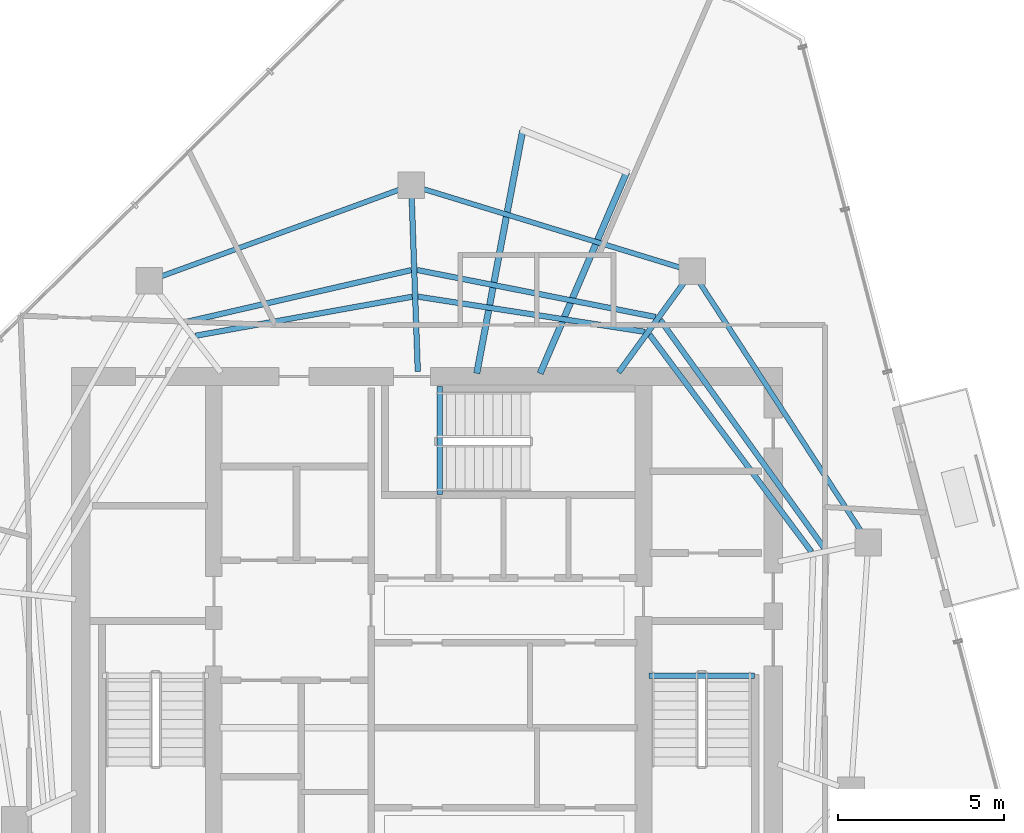
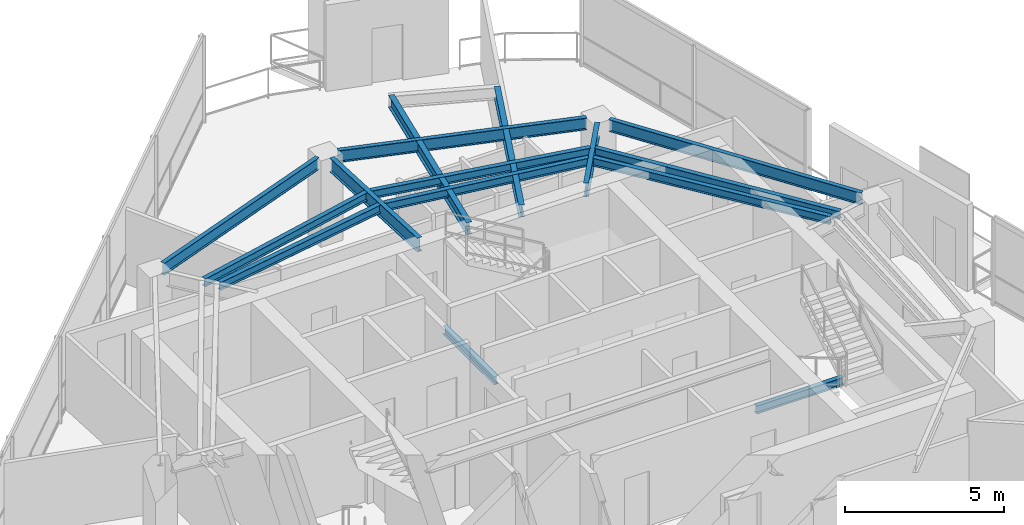
# One storey, part 10 of 19: 15 beams.
"""IFC4 building model written with IfcOpenShell, lengths in metres."""

import ifcopenshell
import ifcopenshell.guid

model = None  # the IFC model being written
_history = None  # IfcOwnerHistory: only IFC2X3 demands one
_inside = {}  # id of a spatial element -> (the spatial element, [elements in it])
_under = {}  # id of a project, library or spatial element -> (it, [spatial elements below it])
_declared = {}  # id of a project -> (the project, [libraries it declares])
_typed = {}  # id of a type object -> (the type object, [elements of that type])
_made_of = {}  # id of a material, layer set ... -> (it, [elements and type objects made of it])


def new_model(schema):
    """Start an empty IFC model of exactly this schema.

    Asked for "IFC4X3", IfcOpenShell would pick the latest addendum, in which some entities
    have other attributes; the version numbers below select the first issue.
    IFC2X3 requires an IfcOwnerHistory on every rooted entity: one is made here for all.
    """
    global model, _history
    if schema == "IFC4X3":
        model = ifcopenshell.file(schema_version=(4, 3, 0, 0))
    else:
        model = ifcopenshell.file(schema=schema)
    _inside.clear()
    _under.clear()
    _declared.clear()
    _typed.clear()
    _made_of.clear()
    _history = None
    if model.schema == "IFC2X3":
        org = make("IfcOrganization", Name="unknown")
        user = make(
            "IfcPersonAndOrganization",
            ThePerson=make("IfcPerson", FamilyName="unknown"),
            TheOrganization=org,
        )
        app = make(
            "IfcApplication",
            ApplicationDeveloper=org,
            Version="unknown",
            ApplicationFullName="unknown",
            ApplicationIdentifier="unknown",
        )
        _history = make(
            "IfcOwnerHistory",
            OwningUser=user,
            OwningApplication=app,
            ChangeAction="ADDED",
            CreationDate=0,
        )
    return model


def make(cls, **values):
    """One entity of the class cls with the attributes given. An attribute that is None is left unset."""
    return model.create_entity(
        cls, **{name: value for name, value in values.items() if value is not None}
    )


def rooted(cls, **values):
    """An entity with a GlobalId (a new one), such as an element, a storey or a relation."""
    return make(cls, GlobalId=ifcopenshell.guid.new(), OwnerHistory=_history, **values)


def si_unit(unit_type, name, prefix=None):
    """IfcSIUnit, for example si_unit("LENGTHUNIT", "METRE", prefix="MILLI")."""
    return make("IfcSIUnit", UnitType=unit_type, Prefix=prefix, Name=name)


def assignment(units):
    """IfcUnitAssignment: the units of a project."""
    return None if units is None else make("IfcUnitAssignment", Units=units)


def point(xyz):
    """IfcCartesianPoint."""
    return None if xyz is None else make("IfcCartesianPoint", Coordinates=xyz)


def direction(xyz):
    """IfcDirection."""
    return None if xyz is None else make("IfcDirection", DirectionRatios=xyz)


def frame(location, z_axis=None, x_axis=None):
    """IfcAxis2Placement3D, a coordinate frame: its origin and axes. An axis left out is left unset."""
    return make(
        "IfcAxis2Placement3D",
        Location=point(location),
        Axis=direction(z_axis),
        RefDirection=direction(x_axis),
    )


def frame_2d(location, x_axis=None):
    """IfcAxis2Placement2D, a coordinate frame in the plane: its origin and x axis."""
    return make(
        "IfcAxis2Placement2D", Location=point(location), RefDirection=direction(x_axis)
    )


def origin():
    """The frame at (0, 0, 0) with its axes left unset."""
    return frame((0.0, 0.0, 0.0))


def origin_2d():
    """The frame at (0, 0) in the plane with its x axis left unset."""
    return frame_2d((0.0, 0.0))


def place(relative_to, where):
    """IfcLocalPlacement: puts the frame where relative to a parent placement (None: the world)."""
    return make(
        "IfcLocalPlacement", PlacementRelTo=relative_to, RelativePlacement=where
    )


def context(
    kind, dimensions, precision=None, world=None, true_north=None, identifier=None
):
    """IfcGeometricRepresentationContext, for example the 3D "Model" context."""
    return make(
        "IfcGeometricRepresentationContext",
        ContextIdentifier=identifier,
        ContextType=kind,
        CoordinateSpaceDimension=dimensions,
        Precision=precision,
        WorldCoordinateSystem=world,
        TrueNorth=true_north,
    )


def subcontext(parent, identifier, kind, view, scale=None):
    """IfcGeometricRepresentationSubContext, for example "Body" below "Model"."""
    return make(
        "IfcGeometricRepresentationSubContext",
        ContextIdentifier=identifier,
        ContextType=kind,
        ParentContext=parent,
        TargetScale=scale,
        TargetView=view,
    )


def project(units=None, contexts=None):
    """IfcProject with its units and contexts."""
    return rooted(
        "IfcProject",
        Name="project",
        RepresentationContexts=contexts,
        UnitsInContext=assignment(units),
    )


def spatial(cls, under=None, at=None, **own):
    """A site, building, storey or space (cls), placed at a placement, below another one or the project."""
    s = rooted(cls, ObjectPlacement=at, **own)
    if under is not None:
        _under.setdefault(under.id(), (under, []))[1].append(s)
    return s


def profile(cls, at=None, kind="AREA", **sizes):
    """A parametric profile (cls). Its sizes go by their IFC names, for example OverallWidth=200.0."""
    return make(cls, ProfileType=kind, Position=at, **sizes)


def i_section(**sizes):
    """IfcIShapeProfileDef."""
    return profile("IfcIShapeProfileDef", **sizes)


def extrude(swept, where, along, depth):
    """IfcExtrudedAreaSolid: the profile swept, set in the frame where, extruded along a direction by depth."""
    return make(
        "IfcExtrudedAreaSolid",
        SweptArea=swept,
        Position=where,
        ExtrudedDirection=direction(along),
        Depth=depth,
    )


def shape(context_of_items, identifier, shape_type, items):
    """IfcShapeRepresentation: the items that make up one representation, for example the "Body"."""
    return make(
        "IfcShapeRepresentation",
        ContextOfItems=context_of_items,
        RepresentationIdentifier=identifier,
        RepresentationType=shape_type,
        Items=items,
    )


def material(Name=None, Category=None):
    """IfcMaterial."""
    return make("IfcMaterial", Name=Name, Category=Category)


def material_profile(
    of_material, cross_section, Name=None, Category=None, Priority=None
):
    """IfcMaterialProfile: a cross section and its material."""
    return make(
        "IfcMaterialProfile",
        Name=Name,
        Material=of_material,
        Profile=cross_section,
        Priority=Priority,
        Category=Category,
    )


def profile_set(profiles, Name=None, composite=None):
    """IfcMaterialProfileSet."""
    return make(
        "IfcMaterialProfileSet",
        Name=Name,
        MaterialProfiles=profiles,
        CompositeProfile=composite,
    )


def made_of(thing, what):
    """Note that an element or type object is made of a material, layer set ...; save() writes the relation."""
    if what is not None:
        _made_of.setdefault(what.id(), (what, []))[1].append(thing)
    return thing


def type_object(cls, material=None, **own):
    """A type object (cls), such as IfcWallType, which elements share."""
    return made_of(rooted(cls, **own), material)


def element(
    cls,
    number,
    at=None,
    inside=None,
    cuts=None,
    type_object=None,
    material=None,
    context=None,
    identifier="Body",
    shape_type=None,
    held_by="IfcProductDefinitionShape",
    body=None,
    shapes=None,
    **own,
):
    """One element of the class cls, such as IfcWall. Its Tag is "e" and its number.

    at: its placement. inside: the storey or other place that contains it. cuts: it is an
    opening in that element (IfcRelVoidsElement). A single representation is given by context,
    identifier, shape_type and body (its items); several are given by shapes. held_by: the class
    of the entity that holds the representations. save() writes the other relations.
    """
    e = rooted(cls, Tag="e%d" % number, ObjectPlacement=at, **own)
    if body is not None:
        shapes = [shape(context, identifier, shape_type, body)]
    if shapes is not None:
        e.Representation = make(held_by, Representations=shapes)
    if inside is not None:
        _inside.setdefault(inside.id(), (inside, []))[1].append(e)
    if cuts is not None:
        rooted(
            "IfcRelVoidsElement", RelatingBuildingElement=cuts, RelatedOpeningElement=e
        )
    if type_object is not None:
        _typed.setdefault(type_object.id(), (type_object, []))[1].append(e)
    return made_of(e, material)


def aggregate(whole, parts):
    """IfcRelAggregates: a whole, such as a stair, and the parts it consists of."""
    return rooted("IfcRelAggregates", RelatingObject=whole, RelatedObjects=parts)


def save(model, path):
    """Write the relations noted so far, then the file.

    IfcRelAggregates (storeys below a building ...), IfcRelContainedInSpatialStructure (elements
    in a storey), IfcRelDefinesByType, IfcRelAssociatesMaterial and IfcRelDeclares: one each for
    every whole, place, type object, material and project.
    """
    for whole, parts in _under.values():
        aggregate(whole, parts)
    for where, things in _inside.values():
        rooted(
            "IfcRelContainedInSpatialStructure",
            RelatedElements=things,
            RelatingStructure=where,
        )
    for kind, things in _typed.values():
        rooted("IfcRelDefinesByType", RelatedObjects=things, RelatingType=kind)
    for what, things in _made_of.values():
        rooted("IfcRelAssociatesMaterial", RelatedObjects=things, RelatingMaterial=what)
    for by, libraries in _declared.values():
        rooted("IfcRelDeclares", RelatingContext=by, RelatedDefinitions=libraries)
    model.write(path)


model = new_model("IFC4")

# Units and contexts
model_context = context("Model", 3, precision=1e-05, world=origin(), true_north=direction((0.0, 1.0)))
body_context = subcontext(model_context, "Body", "Model", "MODEL_VIEW")
ifc_project = project(units=[si_unit("LENGTHUNIT", "METRE"), si_unit("AREAUNIT", "SQUARE_METRE"), si_unit("VOLUMEUNIT", "CUBIC_METRE"), si_unit("PLANEANGLEUNIT", "RADIAN"), si_unit("MASSUNIT", "GRAM", prefix="KILO")], contexts=[model_context])

# Site, building, storey
site_placement = place(None, origin())
site = spatial("IfcSite", under=ifc_project, at=site_placement, CompositionType="ELEMENT")
building_placement = place(site_placement, origin())
building = spatial("IfcBuilding", under=site, at=building_placement, Name="Qarnah Convention Tower", CompositionType="ELEMENT")
storey_placement = place(building_placement, frame((0.0, 0.0, 235.5)))
storey = spatial("IfcBuildingStorey", under=building, at=storey_placement, Name="L63", CompositionType="ELEMENT", Elevation=235.5)

# Beams
ifc_material = material(Name="Structural steel S355JR", Category="steel")
ifc_material_profile_1 = material_profile(ifc_material, i_section(OverallWidth=0.19189453125, OverallDepth=0.464111328125, WebThickness=0.010986328125, FlangeThickness=0.01806640625, at=origin_2d()), Name="W460X89")
ifc_profile_set_1 = profile_set([ifc_material_profile_1], Name="Structural steel S355JR")
beam_type_1 = type_object("IfcBeamType", Name="BM-CANT-W460A", PredefinedType="BEAM", material=ifc_profile_set_1)
beam_1_placement = place(storey_placement, frame((38.694091796875, 34.298095703125, 3.087890625), z_axis=(0.185836759901, 0.982580632146, 0.0), x_axis=(-0.982580632146, 0.185836759901, 0.0)))
element("IfcBeam", 1, at=beam_1_placement, inside=storey, type_object=beam_type_1, Name="L63 beam BM-L63-CNT-01-1", PredefinedType="BEAM", context=body_context, shape_type="SweptSolid", body=[
    extrude(i_section(OverallWidth=0.19189453125, OverallDepth=0.464111328125, WebThickness=0.010986328125, FlangeThickness=0.01806640625, at=origin_2d()), origin(), (0.0, 0.0, 1.0), 7.42529296875),
])
beam_2_placement = place(storey_placement, frame((40.596923828125, 34.2919921875, 3.087890625), z_axis=(0.395203303624, 0.918593679929, 0.0), x_axis=(-0.918593679929, 0.395203303624, 0.0)))
element("IfcBeam", 2, at=beam_2_placement, inside=storey, type_object=beam_type_1, Name="L63 beam BM-L63-CNT-01-2", PredefinedType="BEAM", context=body_context, shape_type="SweptSolid", body=[
    extrude(i_section(OverallWidth=0.19189453125, OverallDepth=0.464111328125, WebThickness=0.010986328125, FlangeThickness=0.01806640625, at=origin_2d()), origin(), (0.0, 0.0, 1.0), 6.583984375),
])
ifc_material_profile_2 = material_profile(ifc_material, i_section(OverallWidth=0.166015625, OverallDepth=0.31201171875, WebThickness=0.007080078125, FlangeThickness=0.010986328125, at=origin_2d()), Name="W310X45")
ifc_profile_set_2 = profile_set([ifc_material_profile_2], Name="Structural steel S355JR")
beam_type_2 = type_object("IfcBeamType", Name="BM-JST-W310", PredefinedType="JOIST", material=ifc_profile_set_2)
beam_3_placement = place(storey_placement, frame((43.860107421875, 25.217041015625, -0.156005859375), z_axis=(1.0, 0.0, 0.0), x_axis=(0.0, 1.0, 0.0)))
element("IfcBeam", 3, at=beam_3_placement, inside=storey, type_object=beam_type_2, Name="L63 stair landing trimmer beam BM-L63-ST2-TRM", PredefinedType="BEAM", context=body_context, shape_type="SweptSolid", body=[
    extrude(i_section(OverallWidth=0.166015625, OverallDepth=0.31201171875, WebThickness=0.007080078125, FlangeThickness=0.010986328125, at=origin_2d()), origin(), (0.0, 0.0, 1.0), 3.179931640625),
])
beam_4_placement = place(storey_placement, frame((37.5830078125, 30.659912109375, -0.156005859375), z_axis=(0.0, 1.0, 0.0), x_axis=(-1.0, 0.0, 0.0)))
element("IfcBeam", 4, at=beam_4_placement, inside=storey, type_object=beam_type_2, Name="L63 stair landing trimmer beam BM-L63-ST3-TRM", PredefinedType="BEAM", context=body_context, shape_type="SweptSolid", body=[
    extrude(i_section(OverallWidth=0.166015625, OverallDepth=0.31201171875, WebThickness=0.007080078125, FlangeThickness=0.010986328125, at=origin_2d()), origin(), (0.0, 0.0, 1.0), 3.239990234375),
])
beam_5_placement = place(storey_placement, frame((49.14501953125, 29.02294921875, 3.1640625), z_axis=(-0.58344586601, 0.812152030986, 0.0), x_axis=(-0.812152030986, -0.58344586601, 0.0)))
element("IfcBeam", 5, at=beam_5_placement, inside=storey, type_object=beam_type_2, Name="L63 joist BM-L63-SJST-01", PredefinedType="JOIST", context=body_context, shape_type="SweptSolid", body=[
    extrude(i_section(OverallWidth=0.166015625, OverallDepth=0.31201171875, WebThickness=0.007080078125, FlangeThickness=0.010986328125, at=origin_2d()), origin(), (0.0, 0.0, 1.0), 8.465087890625),
])
beam_6_placement = place(storey_placement, frame((44.06494140625, 35.988037109375, 3.1640625), z_axis=(-0.98114260341, 0.193285260103, 0.0), x_axis=(-0.193285260103, -0.98114260341, 0.0)))
element("IfcBeam", 6, at=beam_6_placement, inside=storey, type_object=beam_type_2, Name="L63 joist BM-L63-SJST-02", PredefinedType="JOIST", context=body_context, shape_type="SweptSolid", body=[
    extrude(i_section(OverallWidth=0.166015625, OverallDepth=0.31201171875, WebThickness=0.007080078125, FlangeThickness=0.010986328125, at=origin_2d()), origin(), (0.0, 0.0, 1.0), 7.299560546875),
])
beam_7_placement = place(storey_placement, frame((36.72705078125, 37.39599609375, 3.1640625), z_axis=(-0.974498532047, -0.224393874777, 0.0), x_axis=(0.224393874777, -0.974498532047, 0.0)))
element("IfcBeam", 7, at=beam_7_placement, inside=storey, type_object=beam_type_2, Name="L63 joist BM-L63-SJST-03", PredefinedType="JOIST", context=body_context, shape_type="SweptSolid", body=[
    extrude(i_section(OverallWidth=0.166015625, OverallDepth=0.31201171875, WebThickness=0.007080078125, FlangeThickness=0.010986328125, at=origin_2d()), origin(), (0.0, 0.0, 1.0), 6.9697265625),
])
beam_8_placement = place(storey_placement, frame((48.7451171875, 28.93701171875, 3.1640625), z_axis=(-0.597624038881, 0.801776470191, 0.0), x_axis=(-0.801776470191, -0.597624038881, 0.0)))
element("IfcBeam", 8, at=beam_8_placement, inside=storey, type_object=beam_type_2, Name="L63 joist BM-L63-IJST-01", PredefinedType="JOIST", context=body_context, shape_type="SweptSolid", body=[
    extrude(i_section(OverallWidth=0.166015625, OverallDepth=0.31201171875, WebThickness=0.007080078125, FlangeThickness=0.010986328125, at=origin_2d()), origin(), (0.0, 0.0, 1.0), 8.130859375),
])
beam_9_placement = place(storey_placement, frame((43.742919921875, 35.5419921875, 3.1640625), z_axis=(-0.988191204816, 0.153225790013, 0.0), x_axis=(-0.153225790013, -0.988191204816, 0.0)))
element("IfcBeam", 9, at=beam_9_placement, inside=storey, type_object=beam_type_2, Name="L63 joist BM-L63-IJST-02", PredefinedType="JOIST", context=body_context, shape_type="SweptSolid", body=[
    extrude(i_section(OverallWidth=0.166015625, OverallDepth=0.31201171875, WebThickness=0.007080078125, FlangeThickness=0.010986328125, at=origin_2d()), origin(), (0.0, 0.0, 1.0), 6.89111328125),
])
beam_10_placement = place(storey_placement, frame((36.7548828125, 36.595947265625, 3.1640625), z_axis=(-0.98417817063, -0.177181625613, 0.0), x_axis=(0.177181625613, -0.98417817063, 0.0)))
element("IfcBeam", 10, at=beam_10_placement, inside=storey, type_object=beam_type_2, Name="L63 joist BM-L63-IJST-03", PredefinedType="JOIST", context=body_context, shape_type="SweptSolid", body=[
    extrude(i_section(OverallWidth=0.166015625, OverallDepth=0.31201171875, WebThickness=0.007080078125, FlangeThickness=0.010986328125, at=origin_2d()), origin(), (0.0, 0.0, 1.0), 6.6083984375),
])
ifc_material_profile_3 = material_profile(ifc_material, i_section(OverallWidth=0.166015625, OverallDepth=0.535888671875, WebThickness=0.010009765625, FlangeThickness=0.01708984375, at=origin_2d()), Name="W530X85")
ifc_profile_set_3 = profile_set([ifc_material_profile_3], Name="Structural steel S355JR")
beam_type_3 = type_object("IfcBeamType", Name="BM-RAD-W530B", PredefinedType="BEAM", material=ifc_profile_set_3)
beam_11_placement = place(storey_placement, frame((42.955078125, 34.321044921875, 3.052001953125), z_axis=(0.587699029113, 0.809079632162, 0.0), x_axis=(-0.809079632162, 0.587699029113, 0.0)))
element("IfcBeam", 11, at=beam_11_placement, inside=storey, type_object=beam_type_3, Name="L63 beam BM-L63-RAD-02", PredefinedType="BEAM", context=body_context, shape_type="SweptSolid", body=[
    extrude(i_section(OverallWidth=0.166015625, OverallDepth=0.535888671875, WebThickness=0.010009765625, FlangeThickness=0.01708984375, at=origin_2d()), origin(), (0.0, 0.0, 1.0), 3.37890625),
])
beam_12_placement = place(storey_placement, frame((36.923095703125, 34.35009765625, 3.052001953125), z_axis=(-0.035110435588, 0.999383438582, 0.0), x_axis=(-0.999383438582, -0.035110435588, 0.0)))
element("IfcBeam", 12, at=beam_12_placement, inside=storey, type_object=beam_type_3, Name="L63 beam BM-L63-RAD-03", PredefinedType="BEAM", context=body_context, shape_type="SweptSolid", body=[
    extrude(i_section(OverallWidth=0.166015625, OverallDepth=0.535888671875, WebThickness=0.010009765625, FlangeThickness=0.01708984375, at=origin_2d()), origin(), (0.0, 0.0, 1.0), 5.215087890625),
])
ifc_material_profile_4 = material_profile(ifc_material, i_section(OverallWidth=0.154052734375, OverallDepth=0.4599609375, WebThickness=0.009033203125, FlangeThickness=0.014892578125, at=origin_2d()), Name="W460X68")
ifc_profile_set_4 = profile_set([ifc_material_profile_4], Name="Structural steel S355JR")
beam_type_4 = type_object("IfcBeamType", Name="BM-SPN-W460B", PredefinedType="SPANDREL", material=ifc_profile_set_4)
beam_13_placement = place(storey_placement, frame((50.241943359375, 29.5439453125, 3.090087890625), z_axis=(-0.544739511184, 0.838605309401, 0.0), x_axis=(-0.838605309401, -0.544739511184, 0.0)))
element("IfcBeam", 13, at=beam_13_placement, inside=storey, type_object=beam_type_4, Name="L63 spandrel BM-L63-SPN-01", PredefinedType="SPANDREL", context=body_context, shape_type="SweptSolid", body=[
    extrude(i_section(OverallWidth=0.154052734375, OverallDepth=0.4599609375, WebThickness=0.009033203125, FlangeThickness=0.014892578125, at=origin_2d()), origin(), (0.0, 0.0, 1.0), 8.9326171875),
])
beam_14_placement = place(storey_placement, frame((44.791015625, 37.47607421875, 3.090087890625), z_axis=(-0.95628886523, 0.292423675918, 0.0), x_axis=(-0.292423675918, -0.95628886523, 0.0)))
element("IfcBeam", 14, at=beam_14_placement, inside=storey, type_object=beam_type_4, Name="L63 spandrel BM-L63-SPN-02", PredefinedType="SPANDREL", context=body_context, shape_type="SweptSolid", body=[
    extrude(i_section(OverallWidth=0.154052734375, OverallDepth=0.4599609375, WebThickness=0.009033203125, FlangeThickness=0.014892578125, at=origin_2d()), origin(), (0.0, 0.0, 1.0), 8.04248046875),
])
beam_15_placement = place(storey_placement, frame((36.361083984375, 39.80908203125, 3.090087890625), z_axis=(-0.939671356419, -0.342078561044, 0.0), x_axis=(0.342078561044, -0.939671356419, 0.0)))
element("IfcBeam", 15, at=beam_15_placement, inside=storey, type_object=beam_type_4, Name="L63 spandrel BM-L63-SPN-03", PredefinedType="SPANDREL", context=body_context, shape_type="SweptSolid", body=[
    extrude(i_section(OverallWidth=0.154052734375, OverallDepth=0.4599609375, WebThickness=0.009033203125, FlangeThickness=0.014892578125, at=origin_2d()), origin(), (0.0, 0.0, 1.0), 7.59521484375),
])

save(model, "model.ifc")
